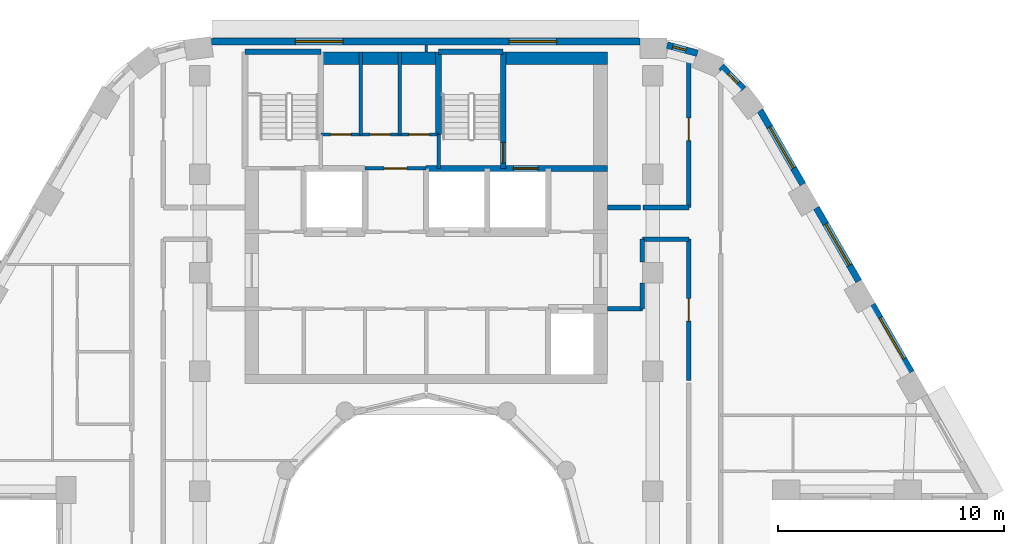
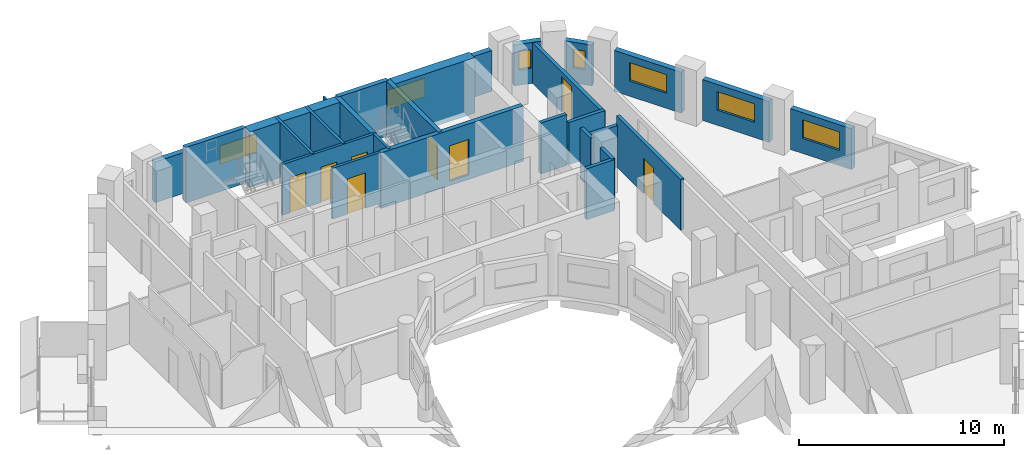
# One storey, part 9 of 17: 27 walls, 8 doors, 7 windows, 15 openings.
"""IFC4 building model written with IfcOpenShell, lengths in metres."""

from ifc_helpers import new_model, si_unit, direction, frame, frame_2d, origin, place, context, subcontext, project, spatial, rectangle, extrude, material, layer, layer_set, type_object, element, fill, save


model = new_model("IFC4")

# Units and contexts
model_context = context("Model", 3, precision=1e-05, world=origin(), true_north=direction((0.0, 1.0)))
body_context = subcontext(model_context, "Body", "Model", "MODEL_VIEW")
ifc_project = project(units=[si_unit("LENGTHUNIT", "METRE"), si_unit("AREAUNIT", "SQUARE_METRE"), si_unit("VOLUMEUNIT", "CUBIC_METRE"), si_unit("PLANEANGLEUNIT", "RADIAN"), si_unit("MASSUNIT", "GRAM", prefix="KILO")], contexts=[model_context])

# Site, building, storey
site_placement = place(None, origin())
site = spatial("IfcSite", under=ifc_project, at=site_placement, CompositionType="ELEMENT")
building_placement = place(site_placement, origin())
building = spatial("IfcBuilding", under=site, at=building_placement, Name="Nakaniwa Court", CompositionType="ELEMENT")
storey_placement = place(building_placement, frame((0.0, 0.0, 203.10009765625)))
storey = spatial("IfcBuildingStorey", under=building, at=storey_placement, Name="L53", CompositionType="ELEMENT", Elevation=203.10009765625)

# Wall, opening, door
ifc_material_1 = material(Name="Acoustic double stud partition")
ifc_layer_1 = layer(ifc_material_1, 0.199951171875)
ifc_layer_set_1 = layer_set([ifc_layer_1], Name="Acoustic double stud partition")
wall_type_1 = type_object("IfcWallType", Name="Acoustic double stud partition 200", PredefinedType="PARTITIONING", material=ifc_layer_set_1)
wall_1_placement = place(storey_placement, frame((91.60009765625, 87.537109375, 0.0), z_axis=(0.0, 0.0, 1.0), x_axis=(0.0, 1.0, 0.0)))
wall_1 = element("IfcWall", 1, at=wall_1_placement, inside=storey, type_object=wall_type_1, Name="Partition PW-078", PredefinedType="PARTITIONING", context=body_context, shape_type="SweptSolid", body=[
    extrude(rectangle(XDim=6.23779296875, YDim=0.199951171875, at=frame_2d((3.118896484375, 0.0))), origin(), (0.0, 0.0, 1.0), 3.02490234375),
])
opening_1_placement = place(wall_1_placement, frame((2.6201171875, 0.0, 0.0)))
opening_1 = element("IfcOpeningElement", 2, at=opening_1_placement, cuts=wall_1, Name="Opening D-02-08", PredefinedType="OPENING", context=body_context, shape_type="SweptSolid", body=[
    extrude(rectangle(XDim=1.0, YDim=2.10009765625, at=frame_2d((0.5, 1.050048828125))), frame((0.0, 0.10986328125, 0.0), z_axis=(0.0, -1.0, 0.0), x_axis=(1.0, 0.0, 0.0)), (0.0, 0.0, 1.0), 0.219970703125),
])
ifc_material_2 = material(Name="Solid core timber door set, black veneer", Category="wood")
door_type_1 = type_object("IfcDoorType", Name="Internal door 1000", OperationType="NOTDEFINED", PredefinedType="DOOR", material=ifc_material_2)
door_1_placement = place(opening_1_placement, origin())
door_1 = element("IfcDoor", 3, at=door_1_placement, inside=storey, type_object=door_type_1, Name="Door D-02-08 L53-057", OperationType="SINGLE_SWING_RIGHT", OverallHeight=2.10009765625, OverallWidth=1.0, PredefinedType="DOOR", context=body_context, shape_type="SweptSolid", body=[
    extrude(rectangle(XDim=1.0, YDim=2.10009765625, at=frame_2d((0.5, 1.050048828125))), frame((0.0, 0.02490234375, 0.0), z_axis=(0.0, -1.0, 0.0), x_axis=(1.0, 0.0, 0.0)), (0.0, 0.0, 1.0), 0.050048828125),
])
fill(opening_1, door_1)

wall_2_placement = place(storey_placement, frame((91.60009765625, 95.175048828125, 0.0), z_axis=(0.0, 0.0, 1.0), x_axis=(0.0, 1.0, 0.0)))
wall_2 = element("IfcWall", 4, at=wall_2_placement, inside=storey, type_object=wall_type_1, Name="Partition PW-079", PredefinedType="PARTITIONING", context=body_context, shape_type="SweptSolid", body=[
    extrude(rectangle(XDim=6.898681640625, YDim=0.199951171875, at=frame_2d((3.44921875, 0.0))), origin(), (0.0, 0.0, 1.0), 2.40478515625),
])
opening_2_placement = place(wall_2_placement, frame((2.949951171875, 0.0, 0.0)))
opening_2 = element("IfcOpeningElement", 5, at=opening_2_placement, cuts=wall_2, Name="Opening D-02-09", PredefinedType="OPENING", context=body_context, shape_type="SweptSolid", body=[
    extrude(rectangle(XDim=1.0, YDim=2.10009765625, at=frame_2d((0.5, 1.050048828125))), frame((0.0, 0.10986328125, 0.0), z_axis=(0.0, -1.0, 0.0), x_axis=(1.0, 0.0, 0.0)), (0.0, 0.0, 1.0), 0.219970703125),
])
door_2_placement = place(opening_2_placement, origin())
door_2 = element("IfcDoor", 6, at=door_2_placement, inside=storey, type_object=door_type_1, Name="Door D-02-09 L53-058", OperationType="SINGLE_SWING_LEFT", OverallHeight=2.10009765625, OverallWidth=1.0, PredefinedType="DOOR", context=body_context, shape_type="SweptSolid", body=[
    extrude(rectangle(XDim=1.0, YDim=2.10009765625, at=frame_2d((0.5, 1.050048828125))), frame((0.0, 0.02490234375, 0.0), z_axis=(0.0, -1.0, 0.0), x_axis=(1.0, 0.0, 0.0)), (0.0, 0.0, 1.0), 0.050048828125),
])
fill(opening_2, door_2)

# Walls
wall_3_placement = place(storey_placement, frame((89.550048828125, 90.699951171875, 0.0), z_axis=(0.0, 0.0, 1.0), x_axis=(0.0, 1.0, 0.0)))
element("IfcWall", 7, at=wall_3_placement, inside=storey, type_object=wall_type_1, Name="Partition PW-089", PredefinedType="PARTITIONING", context=body_context, shape_type="SweptSolid", body=[
    extrude(rectangle(XDim=1.1328125, YDim=0.199951171875, at=frame_2d((0.56640625, 0.0))), origin(), (0.0, 0.0, 1.0), 3.02490234375),
])
wall_4_placement = place(storey_placement, frame((89.550048828125, 92.76708984375, 0.0), z_axis=(0.0, 0.0, 1.0), x_axis=(0.0, 1.0, 0.0)))
element("IfcWall", 8, at=wall_4_placement, inside=storey, type_object=wall_type_1, Name="Partition PW-090", PredefinedType="PARTITIONING", context=body_context, shape_type="SweptSolid", body=[
    extrude(rectangle(XDim=1.0078125, YDim=0.199951171875, at=frame_2d((0.50390625, 0.0))), origin(), (0.0, 0.0, 1.0), 3.02490234375),
])
wall_5_placement = place(storey_placement, frame((89.550048828125, 93.77490234375, 0.0), z_axis=(0.0, 0.0, 1.0), x_axis=(1.0, 0.0, 0.0)))
element("IfcWall", 9, at=wall_5_placement, inside=storey, type_object=wall_type_1, Name="Partition PW-094", PredefinedType="PARTITIONING", context=body_context, shape_type="SweptSolid", body=[
    extrude(rectangle(XDim=2.050048828125, YDim=0.199951171875, at=frame_2d((1.02490234375, 0.0))), origin(), (0.0, 0.0, 1.0), 2.5048828125),
])
wall_6_placement = place(storey_placement, frame((88.0, 90.699951171875, 0.0), z_axis=(0.0, 0.0, 1.0), x_axis=(1.0, 0.0, 0.0)))
element("IfcWall", 10, at=wall_6_placement, inside=storey, type_object=wall_type_1, Name="Partition PW-096", PredefinedType="PARTITIONING", context=body_context, shape_type="SweptSolid", body=[
    extrude(rectangle(XDim=1.550048828125, YDim=0.199951171875, at=frame_2d((0.77490234375, 0.0))), origin(), (0.0, 0.0, 1.0), 3.02490234375),
])
wall_7_placement = place(storey_placement, frame((88.0, 95.175048828125, 0.0), z_axis=(0.0, 0.0, 1.0), x_axis=(1.0, 0.0, 0.0)))
element("IfcWall", 11, at=wall_7_placement, inside=storey, type_object=wall_type_1, Name="Partition PW-099", PredefinedType="PARTITIONING", context=body_context, shape_type="SweptSolid", body=[
    extrude(rectangle(XDim=1.472900390625, YDim=0.199951171875, at=frame_2d((0.736328125, 0.0))), origin(), (0.0, 0.0, 1.0), 3.02490234375),
])
wall_8_placement = place(storey_placement, frame((89.587158203125, 95.175048828125, 0.0), z_axis=(0.0, 0.0, 1.0), x_axis=(1.0, 0.0, 0.0)))
element("IfcWall", 12, at=wall_8_placement, inside=storey, type_object=wall_type_1, Name="Partition PW-100", PredefinedType="PARTITIONING", context=body_context, shape_type="SweptSolid", body=[
    extrude(rectangle(XDim=2.012939453125, YDim=0.199951171875, at=frame_2d((1.00634765625, 0.0))), origin(), (0.0, 0.0, 1.0), 2.5048828125),
])

# Wall, opening, window
ifc_material_3 = material(Name="Charcoal ceramic cladding")
ifc_layer_2 = layer(ifc_material_3, 0.02, Name="Ceramic cladding")
ifc_material_4 = material(Name="Ventilated air cavity")
ifc_layer_3 = layer(ifc_material_4, 0.04, ventilated=True, Name="Ventilated cavity")
ifc_material_5 = material(Name="Mineral wool insulation")
ifc_layer_4 = layer(ifc_material_5, 0.1, Name="Insulation")
ifc_material_6 = material(Name="Cement bonded sheathing board")
ifc_layer_5 = layer(ifc_material_6, 0.012, Name="Sheathing")
ifc_material_7 = material(Name="Cold-formed galvanised stud frame with mineral wool infill")
ifc_layer_6 = layer(ifc_material_7, 0.1, Name="Stud frame")
ifc_material_8 = material(Name="Fire-rated gypsum plasterboard lining")
ifc_layer_7 = layer(ifc_material_8, 0.028, Name="Lining")
ifc_layer_set_2 = layer_set([ifc_layer_2, ifc_layer_3, ifc_layer_4, ifc_layer_5, ifc_layer_6, ifc_layer_7], Name="Charcoal ceramic faced external wall system")
wall_type_2 = type_object("IfcWallType", Name="Black ceramic faced external wall 300", PredefinedType="SOLIDWALL", material=ifc_layer_set_2)
wall_9_placement = place(storey_placement, frame((101.420654296875, 87.898193359375, 0.0), z_axis=(0.0, 0.0, 1.0), x_axis=(-0.499955427682, 0.866051136095, 0.0)))
wall_9 = element("IfcWall", 13, at=wall_9_placement, inside=storey, type_object=wall_type_2, Name="L53 external wall 03", PredefinedType="SOLIDWALL", context=body_context, shape_type="SweptSolid", body=[
    extrude(rectangle(XDim=3.447021484375, YDim=0.300048828125, at=frame_2d((1.7236328125, 0.0))), origin(), (0.0, 0.0, 1.0), 2.4248046875),
])
opening_3_placement = place(wall_9_placement, frame((0.673583984375, 0.0, 0.89990234375)))
opening_3 = element("IfcOpeningElement", 14, at=opening_3_placement, cuts=wall_9, Name="Opening W7.04", PredefinedType="OPENING", context=body_context, shape_type="SweptSolid", body=[
    extrude(rectangle(XDim=2.10009765625, YDim=1.10009765625, at=frame_2d((1.050048828125, 0.550048828125))), frame((0.0, 0.159912109375, 0.0), z_axis=(0.0, -1.0, 0.0), x_axis=(1.0, 0.0, 0.0)), (0.0, 0.0, 1.0), 0.320068359375),
])
ifc_material_9 = material(Name="Black anodised aluminium frame with dark low-E laminated double glazing", Category="aluminium")
window_type_1 = type_object("IfcWindowType", Name="Dark glass window 2100x1100 sill 900", PartitioningType="SINGLE_PANEL", PredefinedType="WINDOW", material=ifc_material_9)
window_1_placement = place(opening_3_placement, origin())
window_1 = element("IfcWindow", 15, at=window_1_placement, inside=storey, type_object=window_type_1, Name="L53 habitable room window 03-0", OverallHeight=1.10009765625, OverallWidth=2.10009765625, PartitioningType="SINGLE_PANEL", PredefinedType="WINDOW", context=body_context, shape_type="SweptSolid", body=[
    extrude(rectangle(XDim=2.10009765625, YDim=1.10009765625, at=frame_2d((1.050048828125, 0.550048828125))), frame((0.0, 0.030029296875, 0.0), z_axis=(0.0, -1.0, 0.0), x_axis=(1.0, 0.0, 0.0)), (0.0, 0.0, 1.0), 0.06005859375),
])
fill(opening_3, window_1)

wall_10_placement = place(storey_placement, frame((99.101318359375, 91.916015625, 0.0), z_axis=(0.0, 0.0, 1.0), x_axis=(-0.500059225181, 0.86599120741, 0.0)))
wall_10 = element("IfcWall", 16, at=wall_10_placement, inside=storey, type_object=wall_type_2, Name="L53 external wall 04", PredefinedType="SOLIDWALL", context=body_context, shape_type="SweptSolid", body=[
    extrude(rectangle(XDim=3.744140625, YDim=0.300048828125, at=frame_2d((1.8720703125, 0.0))), origin(), (0.0, 0.0, 1.0), 2.4248046875),
])
opening_4_placement = place(wall_10_placement, frame((0.822021484375, 0.0, 0.89990234375)))
opening_4 = element("IfcOpeningElement", 17, at=opening_4_placement, cuts=wall_10, Name="Opening W7.05", PredefinedType="OPENING", context=body_context, shape_type="SweptSolid", body=[
    extrude(rectangle(XDim=2.10009765625, YDim=1.10009765625, at=frame_2d((1.050048828125, 0.550048828125))), frame((0.0, 0.159912109375, 0.0), z_axis=(0.0, -1.0, 0.0), x_axis=(1.0, 0.0, 0.0)), (0.0, 0.0, 1.0), 0.320068359375),
])
window_2_placement = place(opening_4_placement, origin())
window_2 = element("IfcWindow", 18, at=window_2_placement, inside=storey, type_object=window_type_1, Name="L53 habitable room window 04-0", OverallHeight=1.10009765625, OverallWidth=2.10009765625, PartitioningType="SINGLE_PANEL", PredefinedType="WINDOW", context=body_context, shape_type="SweptSolid", body=[
    extrude(rectangle(XDim=2.10009765625, YDim=1.10009765625, at=frame_2d((1.050048828125, 0.550048828125))), frame((0.0, 0.030029296875, 0.0), z_axis=(0.0, -1.0, 0.0), x_axis=(1.0, 0.0, 0.0)), (0.0, 0.0, 1.0), 0.06005859375),
])
fill(opening_4, window_2)

wall_11_placement = place(storey_placement, frame((96.633056640625, 96.190673828125, 0.0), z_axis=(0.0, 0.0, 1.0), x_axis=(-0.499961087031, 0.866047869032, 0.0)))
wall_11 = element("IfcWall", 19, at=wall_11_placement, inside=storey, type_object=wall_type_2, Name="L53 external wall 05", PredefinedType="SOLIDWALL", context=body_context, shape_type="SweptSolid", body=[
    extrude(rectangle(XDim=3.778564453125, YDim=0.300048828125, at=frame_2d((1.88916015625, 0.0))), origin(), (0.0, 0.0, 1.0), 2.4248046875),
])
opening_5_placement = place(wall_11_placement, frame((0.827880859375, 0.0, 0.89990234375)))
opening_5 = element("IfcOpeningElement", 20, at=opening_5_placement, cuts=wall_11, Name="Opening W7.06", PredefinedType="OPENING", context=body_context, shape_type="SweptSolid", body=[
    extrude(rectangle(XDim=2.10009765625, YDim=1.10009765625, at=frame_2d((1.050048828125, 0.550048828125))), frame((0.0, 0.159912109375, 0.0), z_axis=(0.0, -1.0, 0.0), x_axis=(1.0, 0.0, 0.0)), (0.0, 0.0, 1.0), 0.320068359375),
])
window_3_placement = place(opening_5_placement, origin())
window_3 = element("IfcWindow", 21, at=window_3_placement, inside=storey, type_object=window_type_1, Name="L53 habitable room window 05-0", OverallHeight=1.10009765625, OverallWidth=2.10009765625, PartitioningType="SINGLE_PANEL", PredefinedType="WINDOW", context=body_context, shape_type="SweptSolid", body=[
    extrude(rectangle(XDim=2.10009765625, YDim=1.10009765625, at=frame_2d((1.050048828125, 0.550048828125))), frame((0.0, 0.030029296875, 0.0), z_axis=(0.0, -1.0, 0.0), x_axis=(1.0, 0.0, 0.0)), (0.0, 0.0, 1.0), 0.06005859375),
])
fill(opening_5, window_3)

wall_12_placement = place(storey_placement, frame((94.009033203125, 100.40185546875, 0.0), z_axis=(0.0, 0.0, 1.0), x_axis=(-0.69817596362, 0.715926199984, 0.0)))
wall_12 = element("IfcWall", 22, at=wall_12_placement, inside=storey, type_object=wall_type_2, Name="L53 external wall 06", PredefinedType="SOLIDWALL", context=body_context, shape_type="SweptSolid", body=[
    extrude(rectangle(XDim=1.40283203125, YDim=0.300048828125, at=frame_2d((0.701416015625, 0.0))), origin(), (0.0, 0.0, 1.0), 2.4248046875),
])
opening_6_placement = place(wall_12_placement, frame((0.35986328125, 0.0, 0.89990234375)))
opening_6 = element("IfcOpeningElement", 23, at=opening_6_placement, cuts=wall_12, Name="Opening W8.07", PredefinedType="OPENING", context=body_context, shape_type="SweptSolid", body=[
    extrude(rectangle(XDim=0.60009765625, YDim=1.10009765625, at=frame_2d((0.300048828125, 0.550048828125))), frame((0.0, 0.159912109375, 0.0), z_axis=(0.0, -1.0, 0.0), x_axis=(1.0, 0.0, 0.0)), (0.0, 0.0, 1.0), 0.320068359375),
])
window_type_2 = type_object("IfcWindowType", Name="Dark glass window 600x1100 sill 900", PartitioningType="SINGLE_PANEL", PredefinedType="WINDOW", material=ifc_material_9)
window_4_placement = place(opening_6_placement, origin())
window_4 = element("IfcWindow", 24, at=window_4_placement, inside=storey, type_object=window_type_2, Name="L53 habitable room window 06-0", OverallHeight=1.10009765625, OverallWidth=0.60009765625, PartitioningType="SINGLE_PANEL", PredefinedType="WINDOW", context=body_context, shape_type="SweptSolid", body=[
    extrude(rectangle(XDim=0.60009765625, YDim=1.10009765625, at=frame_2d((0.300048828125, 0.550048828125))), frame((0.0, 0.030029296875, 0.0), z_axis=(0.0, -1.0, 0.0), x_axis=(1.0, 0.0, 0.0)), (0.0, 0.0, 1.0), 0.06005859375),
])
fill(opening_6, window_4)

wall_13_placement = place(storey_placement, frame((91.977294921875, 101.981201171875, 0.0), z_axis=(0.0, 0.0, 1.0), x_axis=(-0.965315341278, 0.261086751661, 0.0)))
wall_13 = element("IfcWall", 25, at=wall_13_placement, inside=storey, type_object=wall_type_2, Name="L53 external wall 07", PredefinedType="SOLIDWALL", context=body_context, shape_type="SweptSolid", body=[
    extrude(rectangle(XDim=1.384033203125, YDim=0.300048828125, at=frame_2d((0.69189453125, 0.0))), origin(), (0.0, 0.0, 1.0), 2.4248046875),
])
opening_7_placement = place(wall_13_placement, frame((0.529296875, 0.0, 0.89990234375)))
opening_7 = element("IfcOpeningElement", 26, at=opening_7_placement, cuts=wall_13, Name="Opening W8.08", PredefinedType="OPENING", context=body_context, shape_type="SweptSolid", body=[
    extrude(rectangle(XDim=0.60009765625, YDim=1.10009765625, at=frame_2d((0.300048828125, 0.550048828125))), frame((0.0, 0.159912109375, 0.0), z_axis=(0.0, -1.0, 0.0), x_axis=(1.0, 0.0, 0.0)), (0.0, 0.0, 1.0), 0.320068359375),
])
window_5_placement = place(opening_7_placement, origin())
window_5 = element("IfcWindow", 27, at=window_5_placement, inside=storey, type_object=window_type_2, Name="L53 habitable room window 07-1", OverallHeight=1.10009765625, OverallWidth=0.60009765625, PartitioningType="SINGLE_PANEL", PredefinedType="WINDOW", context=body_context, shape_type="SweptSolid", body=[
    extrude(rectangle(XDim=0.60009765625, YDim=1.10009765625, at=frame_2d((0.300048828125, 0.550048828125))), frame((0.0, 0.030029296875, 0.0), z_axis=(0.0, -1.0, 0.0), x_axis=(1.0, 0.0, 0.0)), (0.0, 0.0, 1.0), 0.06005859375),
])
fill(opening_7, window_5)

# Wall, openings, windows
wall_14_placement = place(storey_placement, frame((89.44921875, 102.5, 0.0), z_axis=(0.0, 0.0, 1.0), x_axis=(-1.0, 0.0, 0.0)))
wall_14 = element("IfcWall", 28, at=wall_14_placement, inside=storey, type_object=wall_type_2, Name="L53 external wall 08", PredefinedType="SOLIDWALL", context=body_context, shape_type="SweptSolid", body=[
    extrude(rectangle(XDim=18.932861328125, YDim=0.300048828125, at=frame_2d((9.46630859375, 0.0))), origin(), (0.0, 0.0, 1.0), 2.4248046875),
])
opening_8_placement = place(wall_14_placement, frame((3.6865234375, 0.0, 0.89990234375)))
opening_8 = element("IfcOpeningElement", 29, at=opening_8_placement, cuts=wall_14, Name="Opening W7.09", PredefinedType="OPENING", context=body_context, shape_type="SweptSolid", body=[
    extrude(rectangle(XDim=2.10009765625, YDim=1.10009765625, at=frame_2d((1.050048828125, 0.550048828125))), frame((0.0, 0.159912109375, 0.0), z_axis=(0.0, -1.0, 0.0), x_axis=(1.0, 0.0, 0.0)), (0.0, 0.0, 1.0), 0.320068359375),
])
opening_9_placement = place(wall_14_placement, frame((13.117919921875, 0.0, 0.89990234375)))
opening_9 = element("IfcOpeningElement", 30, at=opening_9_placement, cuts=wall_14, Name="Opening W7.10", PredefinedType="OPENING", context=body_context, shape_type="SweptSolid", body=[
    extrude(rectangle(XDim=2.10009765625, YDim=1.10009765625, at=frame_2d((1.050048828125, 0.550048828125))), frame((0.0, 0.159912109375, 0.0), z_axis=(0.0, -1.0, 0.0), x_axis=(1.0, 0.0, 0.0)), (0.0, 0.0, 1.0), 0.320068359375),
])
window_6_placement = place(opening_8_placement, origin())
window_6 = element("IfcWindow", 31, at=window_6_placement, inside=storey, type_object=window_type_1, Name="L53 habitable room window 08-0", OverallHeight=1.10009765625, OverallWidth=2.10009765625, PartitioningType="SINGLE_PANEL", PredefinedType="WINDOW", context=body_context, shape_type="SweptSolid", body=[
    extrude(rectangle(XDim=2.10009765625, YDim=1.10009765625, at=frame_2d((1.050048828125, 0.550048828125))), frame((0.0, 0.030029296875, 0.0), z_axis=(0.0, -1.0, 0.0), x_axis=(1.0, 0.0, 0.0)), (0.0, 0.0, 1.0), 0.06005859375),
])
fill(opening_8, window_6)
window_7_placement = place(opening_9_placement, origin())
window_7 = element("IfcWindow", 32, at=window_7_placement, inside=storey, type_object=window_type_1, Name="L53 habitable room window 08-1", OverallHeight=1.10009765625, OverallWidth=2.10009765625, PartitioningType="SINGLE_PANEL", PredefinedType="WINDOW", context=body_context, shape_type="SweptSolid", body=[
    extrude(rectangle(XDim=2.10009765625, YDim=1.10009765625, at=frame_2d((1.050048828125, 0.550048828125))), frame((0.0, 0.030029296875, 0.0), z_axis=(0.0, -1.0, 0.0), x_axis=(1.0, 0.0, 0.0)), (0.0, 0.0, 1.0), 0.06005859375),
])
fill(opening_9, window_7)

# Wall, opening, door
ifc_material_10 = material(Name="Blockwork partition", Category="masonry")
ifc_layer_8 = layer(ifc_material_10, 0.14990234375)
ifc_layer_set_3 = layer_set([ifc_layer_8], Name="Blockwork partition")
wall_type_3 = type_object("IfcWallType", Name="Blockwork partition 150", PredefinedType="PARTITIONING", material=ifc_layer_set_3)
wall_15_placement = place(storey_placement, frame((77.300048828125, 96.89990234375, 0.0), z_axis=(0.0, 0.0, 1.0), x_axis=(1.0, 0.0, 0.0)))
wall_15 = element("IfcWall", 33, at=wall_15_placement, inside=storey, type_object=wall_type_3, Name="Partition PW-022", PredefinedType="PARTITIONING", context=body_context, shape_type="SweptSolid", body=[
    extrude(rectangle(XDim=2.699951171875, YDim=0.14990234375, at=frame_2d((1.35009765625, 0.0))), origin(), (0.0, 0.0, 1.0), 3.02490234375),
])
opening_10_placement = place(wall_15_placement, frame((0.85009765625, 0.0, 0.0)))
opening_10 = element("IfcOpeningElement", 34, at=opening_10_placement, cuts=wall_15, Name="Opening D-23-01", PredefinedType="OPENING", context=body_context, shape_type="SweptSolid", body=[
    extrude(rectangle(XDim=1.0, YDim=2.10009765625, at=frame_2d((0.5, 1.050048828125))), frame((0.0, 0.0849609375, 0.0), z_axis=(0.0, -1.0, 0.0), x_axis=(1.0, 0.0, 0.0)), (0.0, 0.0, 1.0), 0.169921875),
])
ifc_material_11 = material(Name="Fire rated steel door set", Category="steel")
door_type_2 = type_object("IfcDoorType", Name="Service room door 1000", OperationType="NOTDEFINED", PredefinedType="DOOR", material=ifc_material_11)
door_3_placement = place(opening_10_placement, origin())
door_3 = element("IfcDoor", 35, at=door_3_placement, inside=storey, type_object=door_type_2, Name="Door D-23-01 L53-009", OperationType="SINGLE_SWING_RIGHT", OverallHeight=2.10009765625, OverallWidth=1.0, PredefinedType="DOOR", context=body_context, shape_type="SweptSolid", body=[
    extrude(rectangle(XDim=1.0, YDim=2.10009765625, at=frame_2d((0.5, 1.050048828125))), frame((0.0, 0.02490234375, 0.0), z_axis=(0.0, -1.0, 0.0), x_axis=(1.0, 0.0, 0.0)), (0.0, 0.0, 1.0), 0.050048828125),
])
fill(opening_10, door_3)

# Wall, openings, doors
wall_16_placement = place(storey_placement, frame((75.35009765625, 98.39990234375, 0.0), z_axis=(0.0, 0.0, 1.0), x_axis=(1.0, 0.0, 0.0)))
wall_16 = element("IfcWall", 36, at=wall_16_placement, inside=storey, type_object=wall_type_3, Name="Partition PW-034", PredefinedType="PARTITIONING", context=body_context, shape_type="SweptSolid", body=[
    extrude(rectangle(XDim=5.199951171875, YDim=0.14990234375, at=frame_2d((2.60009765625, 0.0))), origin(), (0.0, 0.0, 1.0), 3.02490234375),
])
opening_11_placement = place(wall_16_placement, frame((0.43408203125, 0.0, 0.0)))
opening_11 = element("IfcOpeningElement", 37, at=opening_11_placement, cuts=wall_16, Name="Opening D-05-07", PredefinedType="OPENING", context=body_context, shape_type="SweptSolid", body=[
    extrude(rectangle(XDim=0.89990234375, YDim=2.10009765625, at=frame_2d((0.449951171875, 1.050048828125))), frame((0.0, 0.0849609375, 0.0), z_axis=(0.0, -1.0, 0.0), x_axis=(1.0, 0.0, 0.0)), (0.0, 0.0, 1.0), 0.169921875),
])
opening_12_placement = place(wall_16_placement, frame((2.176025390625, 0.0, 0.0)))
opening_12 = element("IfcOpeningElement", 38, at=opening_12_placement, cuts=wall_16, Name="Opening D-05-08", PredefinedType="OPENING", context=body_context, shape_type="SweptSolid", body=[
    extrude(rectangle(XDim=0.89990234375, YDim=2.10009765625, at=frame_2d((0.449951171875, 1.050048828125))), frame((0.0, 0.0849609375, 0.0), z_axis=(0.0, -1.0, 0.0), x_axis=(1.0, 0.0, 0.0)), (0.0, 0.0, 1.0), 0.169921875),
])
opening_13_placement = place(wall_16_placement, frame((3.89208984375, 0.0, 0.0)))
opening_13 = element("IfcOpeningElement", 39, at=opening_13_placement, cuts=wall_16, Name="Opening D-05-09", PredefinedType="OPENING", context=body_context, shape_type="SweptSolid", body=[
    extrude(rectangle(XDim=0.89990234375, YDim=2.10009765625, at=frame_2d((0.449951171875, 1.050048828125))), frame((0.0, 0.0849609375, 0.0), z_axis=(0.0, -1.0, 0.0), x_axis=(1.0, 0.0, 0.0)), (0.0, 0.0, 1.0), 0.169921875),
])
door_type_3 = type_object("IfcDoorType", Name="Service room door 900", OperationType="NOTDEFINED", PredefinedType="DOOR", material=ifc_material_11)
door_4_placement = place(opening_11_placement, origin())
door_4 = element("IfcDoor", 40, at=door_4_placement, inside=storey, type_object=door_type_3, Name="Door D-05-07 L53-010", OperationType="SINGLE_SWING_LEFT", OverallHeight=2.10009765625, OverallWidth=0.89990234375, PredefinedType="DOOR", context=body_context, shape_type="SweptSolid", body=[
    extrude(rectangle(XDim=0.89990234375, YDim=2.10009765625, at=frame_2d((0.449951171875, 1.050048828125))), frame((0.0, 0.02490234375, 0.0), z_axis=(0.0, -1.0, 0.0), x_axis=(1.0, 0.0, 0.0)), (0.0, 0.0, 1.0), 0.050048828125),
])
fill(opening_11, door_4)
door_5_placement = place(opening_12_placement, origin())
door_5 = element("IfcDoor", 41, at=door_5_placement, inside=storey, type_object=door_type_3, Name="Door D-05-08 L53-011", OperationType="SINGLE_SWING_RIGHT", OverallHeight=2.10009765625, OverallWidth=0.89990234375, PredefinedType="DOOR", context=body_context, shape_type="SweptSolid", body=[
    extrude(rectangle(XDim=0.89990234375, YDim=2.10009765625, at=frame_2d((0.449951171875, 1.050048828125))), frame((0.0, 0.02490234375, 0.0), z_axis=(0.0, -1.0, 0.0), x_axis=(1.0, 0.0, 0.0)), (0.0, 0.0, 1.0), 0.050048828125),
])
fill(opening_12, door_5)
door_6_placement = place(opening_13_placement, origin())
door_6 = element("IfcDoor", 42, at=door_6_placement, inside=storey, type_object=door_type_3, Name="Door D-05-09 L53-012", OperationType="SINGLE_SWING_LEFT", OverallHeight=2.10009765625, OverallWidth=0.89990234375, PredefinedType="DOOR", context=body_context, shape_type="SweptSolid", body=[
    extrude(rectangle(XDim=0.89990234375, YDim=2.10009765625, at=frame_2d((0.449951171875, 1.050048828125))), frame((0.0, 0.02490234375, 0.0), z_axis=(0.0, -1.0, 0.0), x_axis=(1.0, 0.0, 0.0)), (0.0, 0.0, 1.0), 0.050048828125),
])
fill(opening_13, door_6)

# Walls
for number, where, z_axis, x_axis, name in (
    (43, (77.117919921875, 98.39990234375, 0.0), (0.0, 0.0, 1.0), (0.0, 1.0, 0.0), "Partition PW-035"),
    (44, (78.833984375, 98.39990234375, 0.0), (0.0, 0.0, 1.0), (0.0, 1.0, 0.0), "Partition PW-036"),
):
    element("IfcWall", number, at=place(storey_placement, frame(where, z_axis=z_axis, x_axis=x_axis)), inside=storey, type_object=wall_type_3, Name=name, PredefinedType="PARTITIONING", context=body_context, shape_type="SweptSolid", body=[
        extrude(rectangle(XDim=3.650146484375, YDim=0.14990234375, at=frame_2d((1.8251953125, 0.0))), origin(), (0.0, 0.0, 1.0), 3.02490234375),
    ])
ifc_material_12 = material(Name="Concrete C80/100", Category="concrete")
ifc_layer_9 = layer(ifc_material_12, 0.14990234375)
ifc_layer_set_4 = layer_set([ifc_layer_9], Name="Concrete C80/100")
wall_type_4 = type_object("IfcWallType", Name="Concrete core wall 150 C80", PredefinedType="SHEAR", material=ifc_layer_set_4)
wall_17_placement = place(storey_placement, frame((80.550048828125, 96.89990234375, -0.275146484375), z_axis=(0.0, 0.0, 1.0), x_axis=(0.0, 1.0, 0.0)))
element("IfcWall", 45, at=wall_17_placement, inside=storey, type_object=wall_type_4, Name="Core wall SW-30", PredefinedType="SHEAR", context=body_context, shape_type="SweptSolid", body=[
    extrude(rectangle(XDim=1.503173828125, YDim=0.14990234375, at=frame_2d((0.75146484375, 0.0))), origin(), (0.0, 0.0, 1.0), 3.300048828125),
])
ifc_layer_10 = layer(ifc_material_12, 0.25)
ifc_layer_set_5 = layer_set([ifc_layer_10], Name="Concrete C80/100")
wall_type_5 = type_object("IfcWallType", Name="Concrete core wall 250 C80", PredefinedType="SHEAR", material=ifc_layer_set_5)
wall_18_placement = place(storey_placement, frame((72.0, 102.050048828125, -0.275146484375), z_axis=(0.0, 0.0, 1.0), x_axis=(1.0, 0.0, 0.0)))
element("IfcWall", 46, at=wall_18_placement, inside=storey, type_object=wall_type_5, Name="Core wall SW-26", PredefinedType="SHEAR", context=body_context, shape_type="SweptSolid", body=[
    extrude(rectangle(XDim=3.35009765625, YDim=0.25, at=frame_2d((1.675048828125, 0.0))), origin(), (0.0, 0.0, 1.0), 3.300048828125),
])
wall_19_placement = place(storey_placement, frame((80.550048828125, 102.050048828125, -0.275146484375), z_axis=(0.0, 0.0, 1.0), x_axis=(1.0, 0.0, 0.0)))
element("IfcWall", 47, at=wall_19_placement, inside=storey, type_object=wall_type_5, Name="Core wall SW-27", PredefinedType="SHEAR", context=body_context, shape_type="SweptSolid", body=[
    extrude(rectangle(XDim=2.849853515625, YDim=0.25, at=frame_2d((1.4248046875, 0.0))), origin(), (0.0, 0.0, 1.0), 3.300048828125),
])
ifc_layer_11 = layer(ifc_material_12, 0.550048828125)
ifc_layer_set_6 = layer_set([ifc_layer_11], Name="Concrete C80/100")
wall_type_6 = type_object("IfcWallType", Name="Concrete core wall 550 C80", PredefinedType="SHEAR", material=ifc_layer_set_6)
wall_20_placement = place(storey_placement, frame((75.35009765625, 101.77490234375, -0.275146484375), z_axis=(0.0, 0.0, 1.0), x_axis=(1.0, 0.0, 0.0)))
element("IfcWall", 48, at=wall_20_placement, inside=storey, type_object=wall_type_6, Name="Core wall SW-32", PredefinedType="SHEAR", context=body_context, shape_type="SweptSolid", body=[
    extrude(rectangle(XDim=5.199951171875, YDim=0.550048828125, at=frame_2d((2.60009765625, 0.0))), origin(), (0.0, 0.0, 1.0), 3.300048828125),
])
wall_21_placement = place(storey_placement, frame((83.39990234375, 101.77490234375, -0.275146484375), z_axis=(0.0, 0.0, 1.0), x_axis=(1.0, 0.0, 0.0)))
element("IfcWall", 49, at=wall_21_placement, inside=storey, type_object=wall_type_6, Name="Core wall SW-33", PredefinedType="SHEAR", context=body_context, shape_type="SweptSolid", body=[
    extrude(rectangle(XDim=4.60009765625, YDim=0.550048828125, at=frame_2d((2.300048828125, 0.0))), origin(), (0.0, 0.0, 1.0), 3.300048828125),
])

# Wall, opening, door
ifc_layer_12 = layer(ifc_material_12, 0.25)
ifc_layer_set_7 = layer_set([ifc_layer_12], Name="Concrete C80/100")
wall_type_7 = type_object("IfcWallType", Name="Concrete shaft wall 250 C80", PredefinedType="SHEAR", material=ifc_layer_set_7)
wall_22_placement = place(storey_placement, frame((80.0, 96.89990234375, -0.275146484375), z_axis=(0.0, 0.0, 1.0), x_axis=(1.0, 0.0, 0.0)))
wall_22 = element("IfcWall", 50, at=wall_22_placement, inside=storey, type_object=wall_type_7, Name="Core wall SW-20", PredefinedType="SHEAR", context=body_context, shape_type="SweptSolid", body=[
    extrude(rectangle(XDim=8.0, YDim=0.25, at=frame_2d((4.0, 0.0))), origin(), (0.0, 0.0, 1.0), 3.300048828125),
])
opening_14_placement = place(wall_22_placement, frame((3.84912109375, 0.0, 0.27490234375)))
opening_14 = element("IfcOpeningElement", 51, at=opening_14_placement, cuts=wall_22, Name="Opening LD04", PredefinedType="OPENING", context=body_context, shape_type="SweptSolid", body=[
    extrude(rectangle(XDim=1.10009765625, YDim=2.10009765625, at=frame_2d((0.550048828125, 1.050048828125))), frame((0.0, 0.135009765625, 0.0), z_axis=(0.0, -1.0, 0.0), x_axis=(1.0, 0.0, 0.0)), (0.0, 0.0, 1.0), 0.27001953125),
])
ifc_material_13 = material(Name="Stainless steel sliding lift landing door", Category="steel")
door_type_4 = type_object("IfcDoorType", Name="Lift landing door 1100", OperationType="NOTDEFINED", PredefinedType="DOOR", material=ifc_material_13)
door_7_placement = place(opening_14_placement, origin())
door_7 = element("IfcDoor", 52, at=door_7_placement, inside=storey, type_object=door_type_4, Name="Lift landing door LD04 L53-004", OperationType="SLIDING_TO_LEFT", OverallHeight=2.10009765625, OverallWidth=1.10009765625, PredefinedType="DOOR", context=body_context, shape_type="SweptSolid", body=[
    extrude(rectangle(XDim=1.10009765625, YDim=2.10009765625, at=frame_2d((0.550048828125, 1.050048828125))), frame((0.0, 0.02490234375, 0.0), z_axis=(0.0, -1.0, 0.0), x_axis=(1.0, 0.0, 0.0)), (0.0, 0.0, 1.0), 0.050048828125),
])
fill(opening_14, door_7)

wall_23_placement = place(storey_placement, frame((83.39990234375, 102.050048828125, -0.275146484375), z_axis=(0.0, 0.0, 1.0), x_axis=(0.0, -1.0, 0.0)))
wall_23 = element("IfcWall", 53, at=wall_23_placement, inside=storey, type_object=wall_type_7, Name="Core wall SW-29", PredefinedType="SHEAR", context=body_context, shape_type="SweptSolid", body=[
    extrude(rectangle(XDim=5.150146484375, YDim=0.25, at=frame_2d((2.5751953125, 0.0))), origin(), (0.0, 0.0, 1.0), 3.300048828125),
])
opening_15_placement = place(wall_23_placement, frame((4.0, 0.0, 0.27490234375)))
opening_15 = element("IfcOpeningElement", 54, at=opening_15_placement, cuts=wall_23, Name="Opening D-11-01", PredefinedType="OPENING", context=body_context, shape_type="SweptSolid", body=[
    extrude(rectangle(XDim=0.89990234375, YDim=2.10009765625, at=frame_2d((0.449951171875, 1.050048828125))), frame((0.0, 0.135009765625, 0.0), z_axis=(0.0, -1.0, 0.0), x_axis=(1.0, 0.0, 0.0)), (0.0, 0.0, 1.0), 0.27001953125),
])
door_type_5 = type_object("IfcDoorType", Name="Stair door 900", OperationType="NOTDEFINED", PredefinedType="DOOR", material=ifc_material_11)
door_8_placement = place(opening_15_placement, origin())
door_8 = element("IfcDoor", 55, at=door_8_placement, inside=storey, type_object=door_type_5, Name="Door D-11-01 L53-014", OperationType="SINGLE_SWING_RIGHT", OverallHeight=2.10009765625, OverallWidth=0.89990234375, PredefinedType="DOOR", context=body_context, shape_type="SweptSolid", body=[
    extrude(rectangle(XDim=0.89990234375, YDim=2.10009765625, at=frame_2d((0.449951171875, 1.050048828125))), frame((0.0, 0.02490234375, 0.0), z_axis=(0.0, -1.0, 0.0), x_axis=(1.0, 0.0, 0.0)), (0.0, 0.0, 1.0), 0.050048828125),
])
fill(opening_15, door_8)

# Walls
wall_24_placement = place(storey_placement, frame((80.550048828125, 98.39697265625, -0.275146484375), z_axis=(0.0, 0.0, 1.0), x_axis=(0.0, 1.0, 0.0)))
element("IfcWall", 56, at=wall_24_placement, inside=storey, type_object=wall_type_7, Name="Core wall SW-31", PredefinedType="SHEAR", context=body_context, shape_type="SweptSolid", body=[
    extrude(rectangle(XDim=3.653076171875, YDim=0.25, at=frame_2d((1.82666015625, 0.0))), origin(), (0.0, 0.0, 1.0), 3.300048828125),
])
ifc_material_14 = material(Name="Single stud plasterboard partition")
ifc_layer_13 = layer(ifc_material_14, 0.10009765625)
ifc_layer_set_8 = layer_set([ifc_layer_13], Name="Single stud plasterboard partition")
wall_type_8 = type_object("IfcWallType", Name="Single stud plasterboard partition 100", PredefinedType="PARTITIONING", material=ifc_layer_set_8)
wall_25_placement = place(storey_placement, frame((80.0, 102.050048828125, 0.0), z_axis=(0.0, 0.0, 1.0), x_axis=(0.0, 1.0, 0.0)))
element("IfcWall", 57, at=wall_25_placement, inside=storey, type_object=wall_type_8, Name="Partition PW-115", PredefinedType="PARTITIONING", context=body_context, shape_type="SweptSolid", body=[
    extrude(rectangle(XDim=0.300048828125, YDim=0.10009765625, at=frame_2d((0.14990234375, 0.0))), origin(), (0.0, 0.0, 1.0), 3.02490234375),
])

save(model, "model.ifc")
